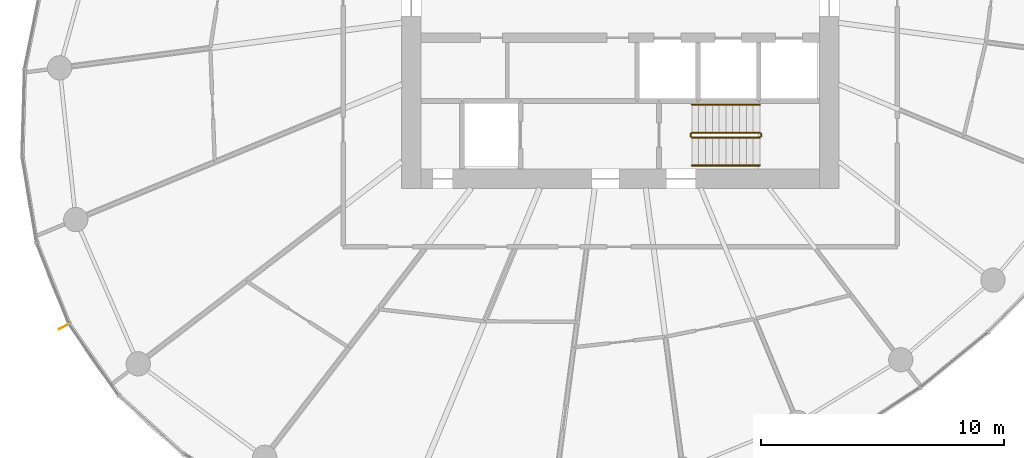
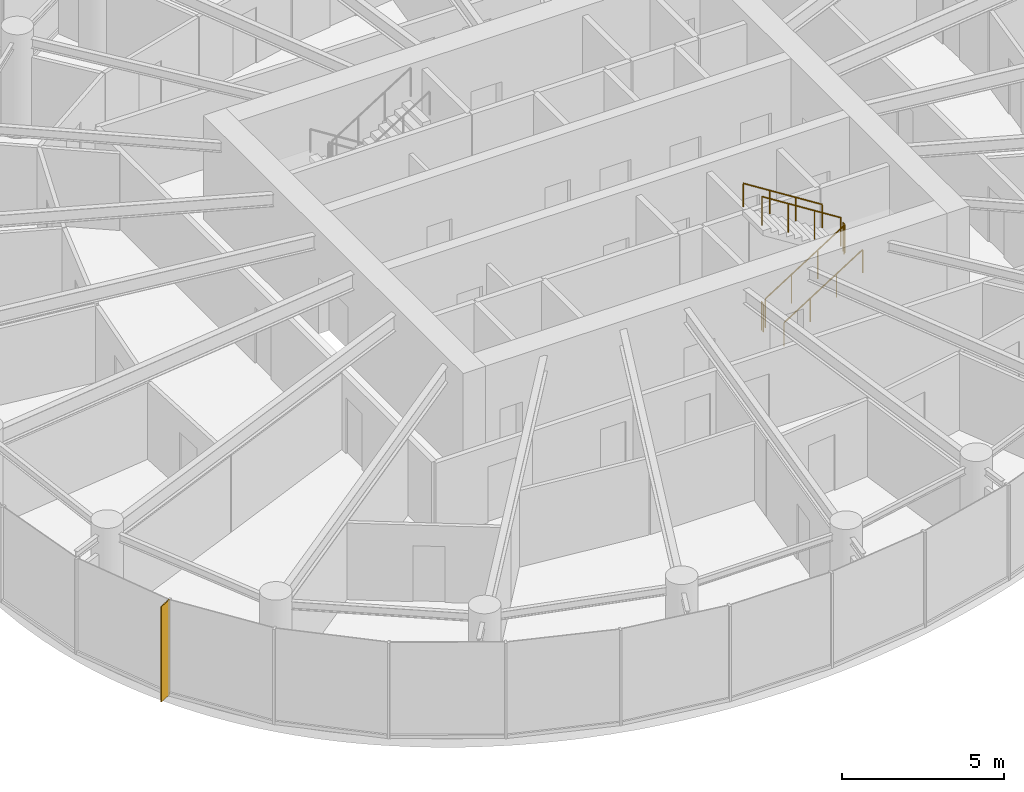
# One storey, part 12 of 14: 6 railings, 1 shading device.
"""IFC4 building model written with IfcOpenShell, lengths in metres."""

from ifc_helpers import new_model, si_unit, direction, frame, origin, origin_2d, place, context, subcontext, project, spatial, rectangle, circle, extrude, source, transform, mapped, material, material_profile, profile_set, type_object, element, save


model = new_model("IFC4")

# Units and contexts
model_context = context("Model", 3, precision=1e-05, world=origin(), true_north=direction((0.0, 1.0)))
body_context = subcontext(model_context, "Body", "Model", "MODEL_VIEW")
ifc_project = project(units=[si_unit("LENGTHUNIT", "METRE"), si_unit("AREAUNIT", "SQUARE_METRE"), si_unit("VOLUMEUNIT", "CUBIC_METRE"), si_unit("PLANEANGLEUNIT", "RADIAN"), si_unit("MASSUNIT", "GRAM", prefix="KILO")], contexts=[model_context])

# Site, building, storey
site_placement = place(None, origin())
site = spatial("IfcSite", under=ifc_project, at=site_placement, CompositionType="ELEMENT")
building_placement = place(site_placement, origin())
building = spatial("IfcBuilding", under=site, at=building_placement, Name="Spindrift Exchange Tower", CompositionType="ELEMENT")
storey_placement = place(building_placement, frame((0.0, 0.0, 156.5)))
storey = spatial("IfcBuildingStorey", under=building, at=storey_placement, Name="L37", CompositionType="ELEMENT", Elevation=156.5)

# Railings
ifc_material_1 = material(Name="Steel balustrade", Category="steel")
railing_type_1 = type_object("IfcRailingType", Name="RL-STAIR-GUARD", PredefinedType="GUARDRAIL", material=ifc_material_1)
railing_1_placement = place(storey_placement, frame((54.949951171875, 42.10009765625, 0.17724609375)))
element("IfcRailing", 1, at=railing_1_placement, inside=storey, type_object=railing_type_1, Name="L37 ST2 stair guard 1", PredefinedType="GUARDRAIL", context=body_context, shape_type="SweptSolid", body=[
    extrude(circle(Radius=0.02392578125, at=origin_2d()), frame((0.0, 0.0, 1.076171875), z_axis=(0.844908973607, 0.0, 0.534910110503), x_axis=(0.0, 1.0, 0.0)), (0.0, 0.0, 1.0), 3.31396484375),
    extrude(circle(Radius=0.02099609375, at=origin_2d()), origin(), (0.0, 0.0, 1.0), 1.052001953125),
    extrude(circle(Radius=0.02099609375, at=origin_2d()), frame((0.933349609375, 0.0, 0.5908203125)), (0.0, 0.0, 1.0), 1.052001953125),
    extrude(circle(Radius=0.02099609375, at=origin_2d()), frame((1.86669921875, 0.0, 1.181884765625)), (0.0, 0.0, 1.0), 1.052001953125),
    extrude(circle(Radius=0.02099609375, at=origin_2d()), frame((2.800048828125, 0.0, 1.772705078125)), (0.0, 0.0, 1.0), 1.052001953125),
])
railing_2_placement = place(storey_placement, frame((57.800048828125, 42.14990234375, 1.949951171875)))
element("IfcRailing", 2, at=railing_2_placement, inside=storey, type_object=railing_type_1, Name="L37 ST2 stair guard 2", PredefinedType="GUARDRAIL", context=body_context, shape_type="SweptSolid", body=[
    extrude(circle(Radius=0.02392578125, at=origin_2d()), frame((0.0, 0.0, 1.076171875), z_axis=(0.0, 1.0, 0.0), x_axis=(-1.0, 0.0, 0.0)), (0.0, 0.0, 1.0), 0.10009765625),
    extrude(circle(Radius=0.02099609375, at=origin_2d()), origin(), (0.0, 0.0, 1.0), 1.052001953125),
    extrude(circle(Radius=0.02099609375, at=origin_2d()), frame((0.0, 0.10009765625, 0.0)), (0.0, 0.0, 1.0), 1.052001953125),
])
railing_3_placement = place(storey_placement, frame((57.75, 42.300048828125, 2.127197265625)))
element("IfcRailing", 3, at=railing_3_placement, inside=storey, type_object=railing_type_1, Name="L37 ST2 stair guard 3", PredefinedType="GUARDRAIL", context=body_context, shape_type="SweptSolid", body=[
    extrude(circle(Radius=0.02392578125, at=origin_2d()), frame((0.0, 0.0, 1.076171875), z_axis=(-0.844908973607, 0.0, 0.534910110503), x_axis=(0.0, -1.0, 0.0)), (0.0, 0.0, 1.0), 3.31396484375),
    extrude(circle(Radius=0.02099609375, at=origin_2d()), origin(), (0.0, 0.0, 1.0), 1.052001953125),
    extrude(circle(Radius=0.02099609375, at=origin_2d()), frame((-0.933349609375, 0.0, 0.5908203125)), (0.0, 0.0, 1.0), 1.052001953125),
    extrude(circle(Radius=0.02099609375, at=origin_2d()), frame((-1.86669921875, 0.0, 1.181884765625)), (0.0, 0.0, 1.0), 1.052001953125),
    extrude(circle(Radius=0.02099609375, at=origin_2d()), frame((-2.800048828125, 0.0, 1.772705078125)), (0.0, 0.0, 1.0), 1.052001953125),
])
railing_4_placement = place(storey_placement, frame((54.89990234375, 42.14990234375, 0.0)))
element("IfcRailing", 4, at=railing_4_placement, inside=storey, type_object=railing_type_1, Name="L37 ST2 stair guard 4", PredefinedType="GUARDRAIL", context=body_context, shape_type="SweptSolid", body=[
    extrude(circle(Radius=0.02392578125, at=origin_2d()), frame((0.0, 0.0, 1.076171875), z_axis=(0.0, 1.0, 0.0), x_axis=(-1.0, 0.0, 0.0)), (0.0, 0.0, 1.0), 0.10009765625),
    extrude(circle(Radius=0.02099609375, at=origin_2d()), origin(), (0.0, 0.0, 1.0), 1.052001953125),
    extrude(circle(Radius=0.02099609375, at=origin_2d()), frame((0.0, 0.10009765625, 0.0)), (0.0, 0.0, 1.0), 1.052001953125),
])
ifc_material_2 = material(Name="Steel tubular handrail", Category="steel")
railing_type_2 = type_object("IfcRailingType", Name="RL-STAIR-HAND", PredefinedType="HANDRAIL", material=ifc_material_2)
railing_5_placement = place(storey_placement, frame((54.949951171875, 40.949951171875, 0.17724609375)))
element("IfcRailing", 5, at=railing_5_placement, inside=storey, type_object=railing_type_2, Name="L37 ST2 stair handrail 1", PredefinedType="HANDRAIL", context=body_context, shape_type="SweptSolid", body=[
    extrude(circle(Radius=0.02392578125, at=origin_2d()), frame((0.0, 0.0, 0.8759765625), z_axis=(0.844908973607, 0.0, 0.534910110503), x_axis=(0.0, 1.0, 0.0)), (0.0, 0.0, 1.0), 3.31396484375),
    extrude(circle(Radius=0.02099609375, at=origin_2d()), origin(), (0.0, 0.0, 1.0), 0.851806640625),
    extrude(circle(Radius=0.02099609375, at=origin_2d()), frame((0.933349609375, 0.0, 0.5908203125)), (0.0, 0.0, 1.0), 0.851806640625),
    extrude(circle(Radius=0.02099609375, at=origin_2d()), frame((1.86669921875, 0.0, 1.181884765625)), (0.0, 0.0, 1.0), 0.851806640625),
    extrude(circle(Radius=0.02099609375, at=origin_2d()), frame((2.800048828125, 0.0, 1.772705078125)), (0.0, 0.0, 1.0), 0.851806640625),
])
railing_6_placement = place(storey_placement, frame((57.75, 43.449951171875, 2.127197265625)))
element("IfcRailing", 6, at=railing_6_placement, inside=storey, type_object=railing_type_2, Name="L37 ST2 stair handrail 2", PredefinedType="HANDRAIL", context=body_context, shape_type="SweptSolid", body=[
    extrude(circle(Radius=0.02392578125, at=origin_2d()), frame((0.0, 0.0, 0.8759765625), z_axis=(-0.844908973607, 0.0, 0.534910110503), x_axis=(0.0, -1.0, 0.0)), (0.0, 0.0, 1.0), 3.31396484375),
    extrude(circle(Radius=0.02099609375, at=origin_2d()), origin(), (0.0, 0.0, 1.0), 0.851806640625),
    extrude(circle(Radius=0.02099609375, at=origin_2d()), frame((-0.933349609375, 0.0, 0.5908203125)), (0.0, 0.0, 1.0), 0.851806640625),
    extrude(circle(Radius=0.02099609375, at=origin_2d()), frame((-1.86669921875, 0.0, 1.181884765625)), (0.0, 0.0, 1.0), 0.851806640625),
    extrude(circle(Radius=0.02099609375, at=origin_2d()), frame((-2.800048828125, 0.0, 1.772705078125)), (0.0, 0.0, 1.0), 0.851806640625),
])

# Shading device
ifc_material_3 = material(Name="Bronze anodised aluminium", Category="aluminium")
ifc_material_profile = material_profile(ifc_material_3, rectangle(XDim=0.030029296875, YDim=0.5, at=origin_2d()), Name="WIND FIN 30X500")
ifc_profile_set = profile_set([ifc_material_profile], Name="Bronze anodised aluminium")
shading_device_type = type_object("IfcShadingDeviceType", Name="WIND FIN 30X500", PredefinedType="USERDEFINED", material=ifc_profile_set)
shared_shape = source(origin(), body_context, "Body", "SweptSolid", [
    extrude(rectangle(XDim=0.030029296875, YDim=0.5, at=origin_2d()), origin(), (0.0, 0.0, 1.0), 3.580078125),
])
shading_device_placement = place(storey_placement, frame((29.13525390625, 34.330810546875, 0.0), z_axis=(0.0, 0.0, 1.0), x_axis=(0.473923771433, -0.880565874237, 0.0)))
element("IfcShadingDevice", 7, at=shading_device_placement, inside=storey, type_object=shading_device_type, Name="L37 wind fin 1", ObjectType="FIN", PredefinedType="USERDEFINED", context=body_context, shape_type="MappedRepresentation", body=[
    mapped(shared_shape, transform((0.0, 0.0, 0.0), scale=1.0)),
])

save(model, "model.ifc")
